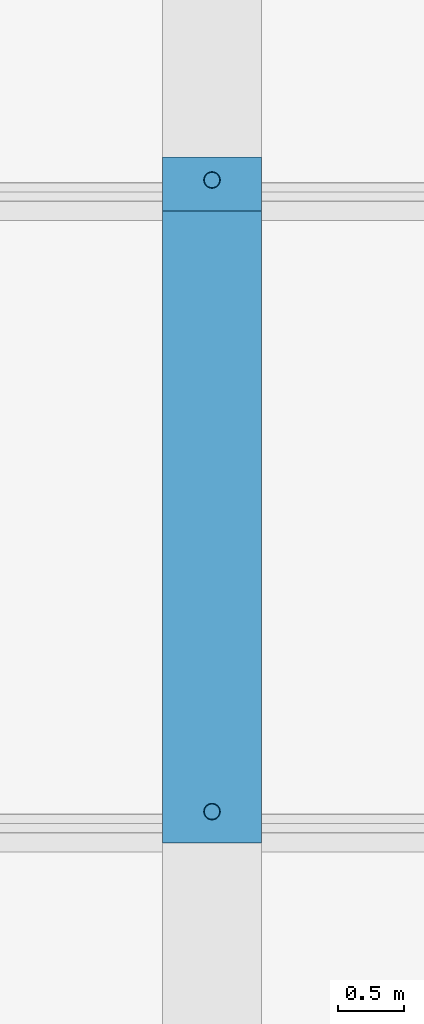
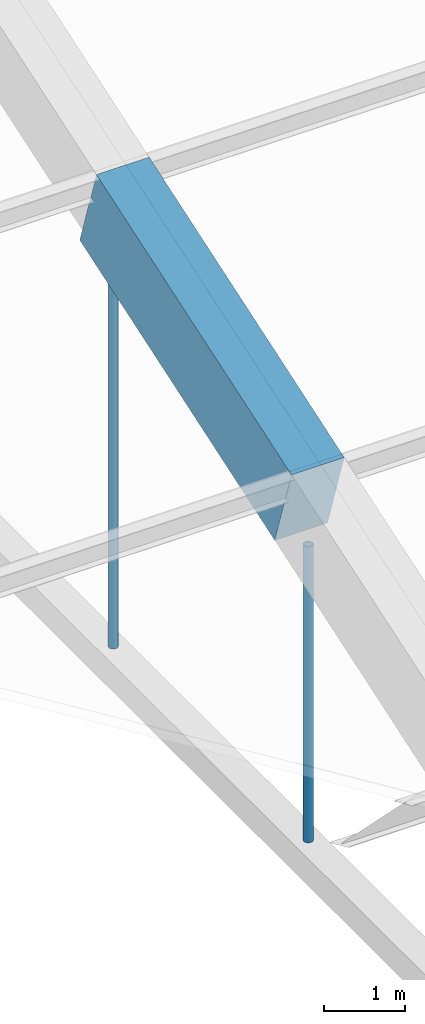
# One storey, part 8 of 149: 2 members, 1 beam.
"""IFC4 building model written with IfcOpenShell, lengths in metres."""

from ifc_helpers import new_model, si_unit, direction, frame, origin, origin_2d, place, context, subcontext, project, spatial, rectangle, hollow_circle, extrude, material, material_profile, profile_set, type_object, element, save


model = new_model("IFC4")

# Units and contexts
model_context = context("Model", 3, precision=1e-05, world=origin(), true_north=direction((0.0, 1.0)))
body_context = subcontext(model_context, "Body", "Model", "MODEL_VIEW")
ifc_project = project(units=[si_unit("LENGTHUNIT", "METRE"), si_unit("AREAUNIT", "SQUARE_METRE"), si_unit("VOLUMEUNIT", "CUBIC_METRE"), si_unit("PLANEANGLEUNIT", "RADIAN"), si_unit("MASSUNIT", "GRAM", prefix="KILO")], contexts=[model_context])

# Site, building, storey
site_placement = place(None, origin())
site = spatial("IfcSite", under=ifc_project, at=site_placement, CompositionType="ELEMENT")
building_placement = place(site_placement, origin())
building = spatial("IfcBuilding", under=site, at=building_placement, Name="Alderwick Market Hall", CompositionType="ELEMENT")
storey_placement = place(building_placement, frame((0.0, 0.0, 9.60009765625)))
storey = spatial("IfcBuildingStorey", under=building, at=storey_placement, Name="L01", CompositionType="ELEMENT", Elevation=9.60009765625)

# Beam
ifc_material_1 = material(Name="Concrete 5000 psi (f'c 35 MPa)", Category="concrete")
ifc_material_profile_1 = material_profile(ifc_material_1, rectangle(XDim=0.75, YDim=1.300048828125, at=origin_2d()), Name="RC 750x1300")
ifc_profile_set_1 = profile_set([ifc_material_profile_1], Name="Concrete 5000 psi (f'c 35 MPa)")
beam_type = type_object("IfcBeamType", Name="R Arch Rib Haunch 750x1300", PredefinedType="BEAM", material=ifc_profile_set_1)
beam_placement = place(storey_placement, frame((64.800048828125, 64.768310546875, 11.494873046875), z_axis=(0.0, 0.948692948114, 0.316198814353), x_axis=(-1.0, 0.0, 0.0)))
element("IfcBeam", 1, at=beam_placement, inside=storey, type_object=beam_type, Name="Arch rib 2 chord 4", PredefinedType="BEAM", context=body_context, shape_type="SweptSolid", body=[
    extrude(rectangle(XDim=0.75, YDim=1.300048828125, at=origin_2d()), origin(), (0.0, 0.0, 1.0), 5.0595703125),
])

# Members
ifc_material_2 = material(Name="Steel ASTM A500 Grade C", Category="steel")
ifc_material_profile_2 = material_profile(ifc_material_2, hollow_circle(Radius=0.0634765625, WallThickness=0.005859375, at=origin_2d()), Name="HSS5.000x0.250")
ifc_profile_set_2 = profile_set([ifc_material_profile_2], Name="Steel ASTM A500 Grade C")
member_type = type_object("IfcMemberType", Name="R Hanger HSS5.000x0.250", PredefinedType="POST", material=ifc_profile_set_2)
member_1_placement = place(storey_placement, frame((64.800048828125, 64.800048828125, 6.35302734375), z_axis=(0.0, 0.0, 1.0), x_axis=(1.0, 0.0, 0.0)))
element("IfcMember", 2, at=member_1_placement, inside=storey, type_object=member_type, Name="Arch hanger 2.3", PredefinedType="POST", context=body_context, shape_type="SweptSolid", body=[
    extrude(hollow_circle(Radius=0.0634765625, WallThickness=0.005859375, at=origin_2d()), origin(), (0.0, 0.0, 1.0), 4.446044921875),
])
member_2_placement = place(storey_placement, frame((64.800048828125, 69.60009765625, 6.35302734375), z_axis=(0.0, 0.0, 1.0), x_axis=(1.0, 0.0, 0.0)))
element("IfcMember", 3, at=member_2_placement, inside=storey, type_object=member_type, Name="Arch hanger 2.4", PredefinedType="POST", context=body_context, shape_type="SweptSolid", body=[
    extrude(hollow_circle(Radius=0.0634765625, WallThickness=0.005859375, at=origin_2d()), origin(), (0.0, 0.0, 1.0), 6.0458984375),
])

save(model, "model.ifc")
